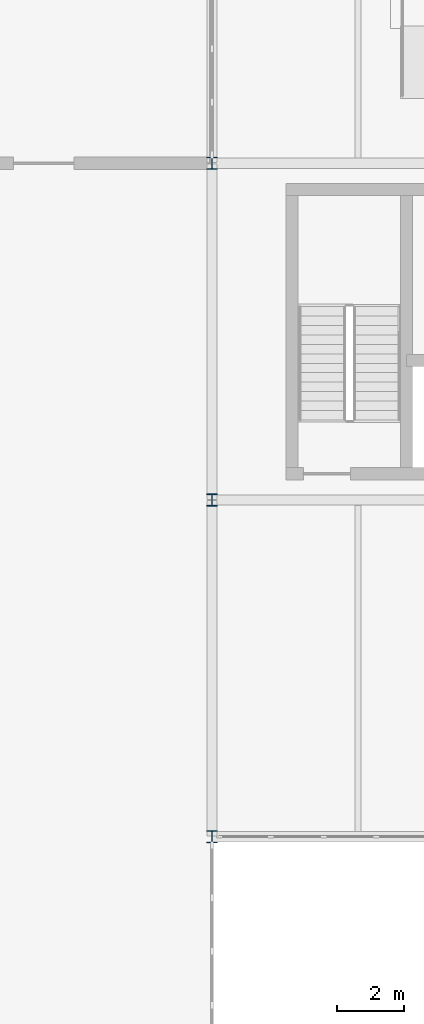
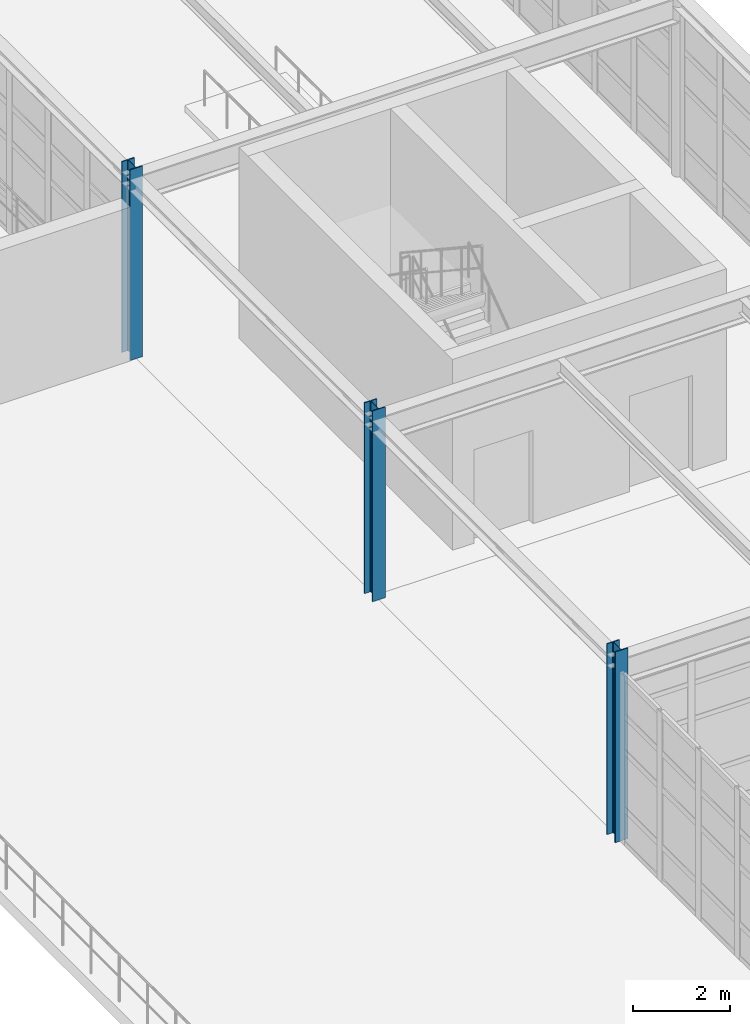
# One storey, part 14 of 139: 3 columns.
"""IFC4 building model written with IfcOpenShell, lengths in metres."""

from ifc_helpers import new_model, si_unit, direction, frame, origin, origin_2d, place, context, subcontext, project, spatial, i_section, extrude, material, material_profile, profile_set, type_object, element, save


model = new_model("IFC4")

# Units and contexts
model_context = context("Model", 3, precision=1e-05, world=origin(), true_north=direction((0.0, 1.0)))
body_context = subcontext(model_context, "Body", "Model", "MODEL_VIEW")
ifc_project = project(units=[si_unit("LENGTHUNIT", "METRE"), si_unit("AREAUNIT", "SQUARE_METRE"), si_unit("VOLUMEUNIT", "CUBIC_METRE"), si_unit("PLANEANGLEUNIT", "RADIAN"), si_unit("MASSUNIT", "GRAM", prefix="KILO"), si_unit("THERMODYNAMICTEMPERATUREUNIT", "KELVIN"), si_unit("POWERUNIT", "WATT")], contexts=[model_context])

# Site, building, storey
site_placement = place(None, origin())
site = spatial("IfcSite", under=ifc_project, at=site_placement, CompositionType="ELEMENT")
building_placement = place(site_placement, origin())
building = spatial("IfcBuilding", under=site, at=building_placement, Name="Korenveer Ferry Terminal", CompositionType="ELEMENT")
storey_placement = place(building_placement, frame((0.0, 0.0, 5.39990234375)))
storey = spatial("IfcBuildingStorey", under=building, at=storey_placement, Name="L01", CompositionType="ELEMENT", Elevation=5.39990234375)

# Columns
ifc_material = material(Name="Steel S355", Category="steel")
ifc_material_profile = material_profile(ifc_material, i_section(OverallWidth=0.300048828125, OverallDepth=0.360107421875, WebThickness=0.012451171875, FlangeThickness=0.0224609375, FilletRadius=0.027099609375, at=origin_2d()), Name="HEB 360")
ifc_profile_set = profile_set([ifc_material_profile], Name="Steel S355")
column_type = type_object("IfcColumnType", Name="STR-COL-HEB360", PredefinedType="COLUMN", material=ifc_profile_set)
for number, where, z_axis, x_axis, name in (
    (1, (123.0, 70.0, 0.0), (0.0, 0.0, 1.0), (1.0, 0.0, 0.0), "Column COL-L01-X123-Y70"),
    (2, (123.0, 80.0, 0.0), (0.0, 0.0, 1.0), (1.0, 0.0, 0.0), "Column COL-L01-X123-Y80"),
    (3, (123.0, 90.0, 0.0), (0.0, 0.0, 1.0), (1.0, 0.0, 0.0), "Column COL-L01-X123-Y90"),
):
    element("IfcColumn", number, at=place(storey_placement, frame(where, z_axis=z_axis, x_axis=x_axis)), inside=storey, type_object=column_type, Name=name, PredefinedType="COLUMN", context=body_context, shape_type="SweptSolid", body=[
        extrude(i_section(OverallWidth=0.300048828125, OverallDepth=0.360107421875, WebThickness=0.012451171875, FlangeThickness=0.0224609375, FilletRadius=0.027099609375, at=origin_2d()), origin(), (0.0, 0.0, 1.0), 4.800048828125),
    ])

save(model, "model.ifc")
